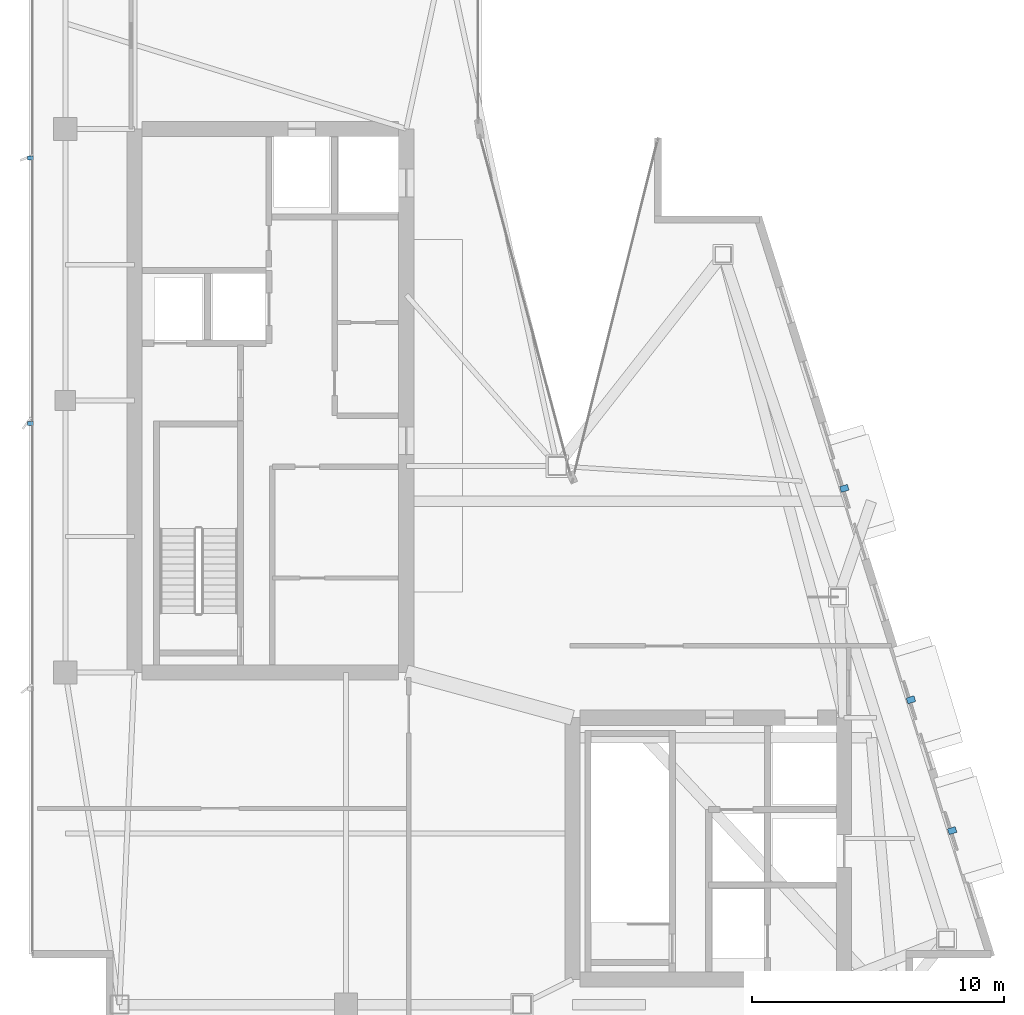
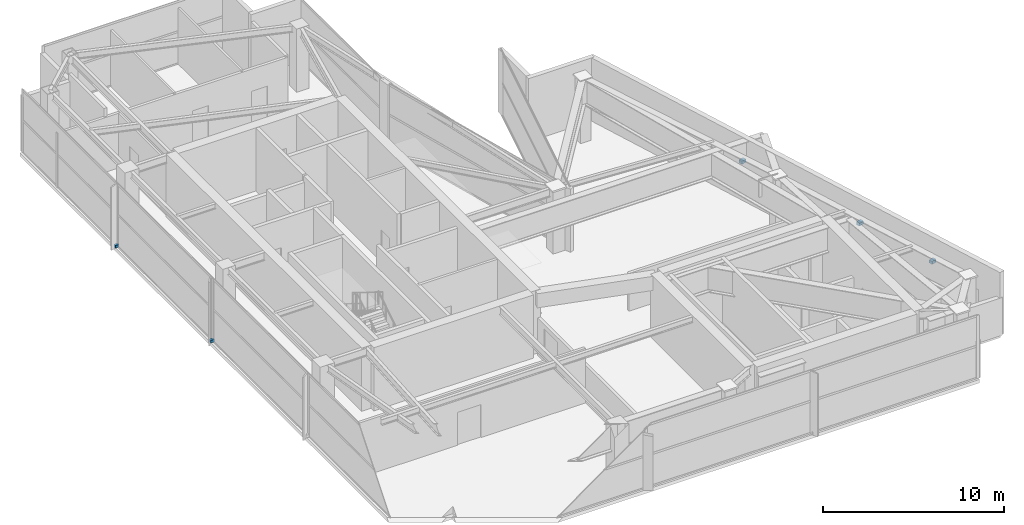
# One storey, part 23 of 25: 5 discrete accessories.
"""IFC4 building model written with IfcOpenShell, lengths in metres."""

from ifc_helpers import new_model, si_unit, direction, frame, origin, origin_2d, place, context, subcontext, project, spatial, rectangle, extrude, material, type_object, element, save


model = new_model("IFC4")

# Units and contexts
model_context = context("Model", 3, precision=1e-05, world=origin(), true_north=direction((0.0, 1.0)))
body_context = subcontext(model_context, "Body", "Model", "MODEL_VIEW")
ifc_project = project(units=[si_unit("LENGTHUNIT", "METRE"), si_unit("AREAUNIT", "SQUARE_METRE"), si_unit("VOLUMEUNIT", "CUBIC_METRE"), si_unit("PLANEANGLEUNIT", "RADIAN"), si_unit("MASSUNIT", "GRAM", prefix="KILO")], contexts=[model_context])

# Site, building, storey
site_placement = place(None, origin())
site = spatial("IfcSite", under=ifc_project, at=site_placement, CompositionType="ELEMENT")
building_placement = place(site_placement, origin())
building = spatial("IfcBuilding", under=site, at=building_placement, Name="Calvorn Quay Hotel", CompositionType="ELEMENT")
storey_placement = place(building_placement, frame((0.0, 0.0, 316.0)))
storey = spatial("IfcBuildingStorey", under=building, at=storey_placement, Name="L78", CompositionType="ELEMENT", Elevation=316.0)

# Discrete accessories
ifc_material = material(Name="Steel Q355B", Category="steel")
discrete_accessory_type = type_object("IfcDiscreteAccessoryType", Name="ACC-FIN-BRACKET", PredefinedType="BRACKET", material=ifc_material)
for number, where, z_axis, x_axis, name in (
    (1, (0.06005859375, 26.699951171875, 0.0302734375), (0.0, 0.0, 1.0), (1.0, 0.0, 0.0), "Fin Anchor Bracket L78-W02"),
    (2, (0.06005859375, 37.25, 0.0302734375), (0.0, 0.0, 1.0), (1.0, 0.0, 0.0), "Fin Anchor Bracket L78-W03"),
):
    element("IfcDiscreteAccessory", number, at=place(storey_placement, frame(where, z_axis=z_axis, x_axis=x_axis)), inside=storey, type_object=discrete_accessory_type, Name=name, PredefinedType="BRACKET", context=body_context, shape_type="SweptSolid", body=[
        extrude(rectangle(XDim=0.239990234375, YDim=0.159912109375, at=origin_2d()), origin(), (0.0, 0.0, 1.0), 0.179931640625),
    ])
for number, where, z_axis, x_axis, name in (
    (3, (36.695068359375, 10.511962890625, 2.3701171875), (0.0, 0.0, 1.0), (0.957319497532, 0.289031796944, 0.0), "Bay Hood Support Bracket L78-HOOD-1"),
    (4, (35.055908203125, 15.7119140625, 2.3701171875), (0.0, 0.0, 1.0), (0.957319497532, 0.289031796944, 0.0), "Bay Hood Support Bracket L78-HOOD-2"),
    (5, (32.409912109375, 24.112060546875, 2.3701171875), (0.0, 0.0, 1.0), (0.957319497532, 0.289031796944, 0.0), "Bay Hood Support Bracket L78-HOOD-3"),
):
    element("IfcDiscreteAccessory", number, at=place(storey_placement, frame(where, z_axis=z_axis, x_axis=x_axis)), inside=storey, type_object=discrete_accessory_type, Name=name, PredefinedType="BRACKET", context=body_context, shape_type="SweptSolid", body=[
        extrude(rectangle(XDim=0.320068359375, YDim=0.239990234375, at=origin_2d()), origin(), (0.0, 0.0, 1.0), 0.199951171875),
    ])

save(model, "model.ifc")
